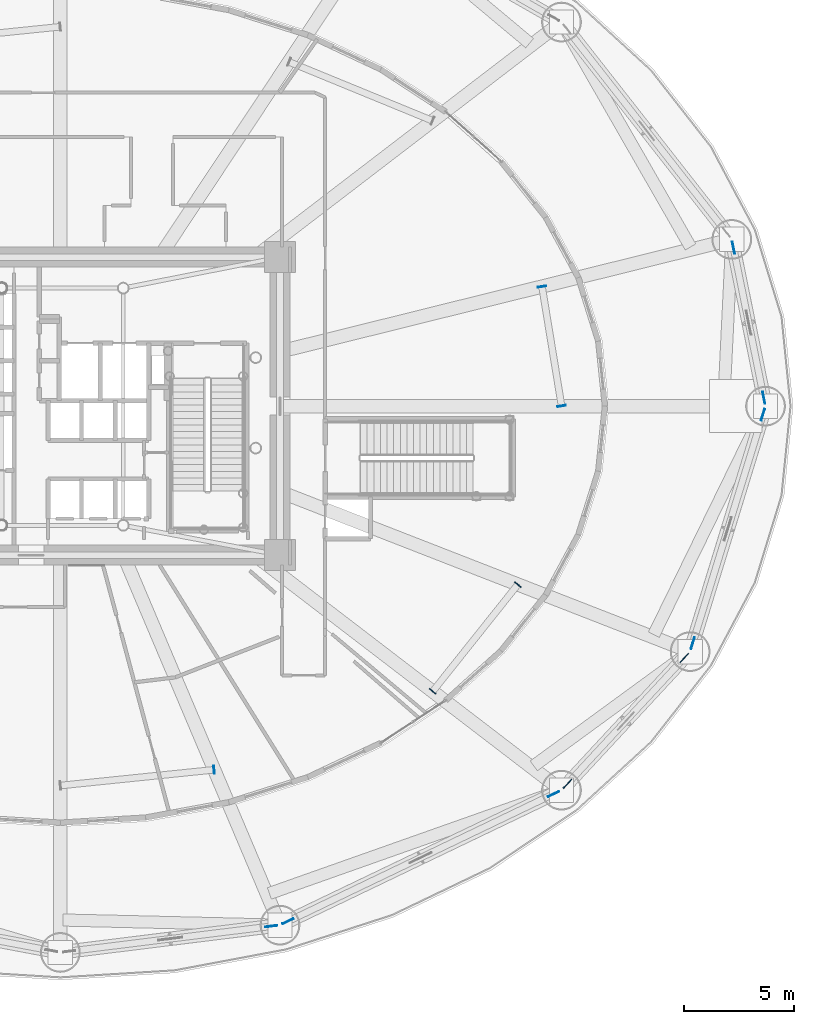
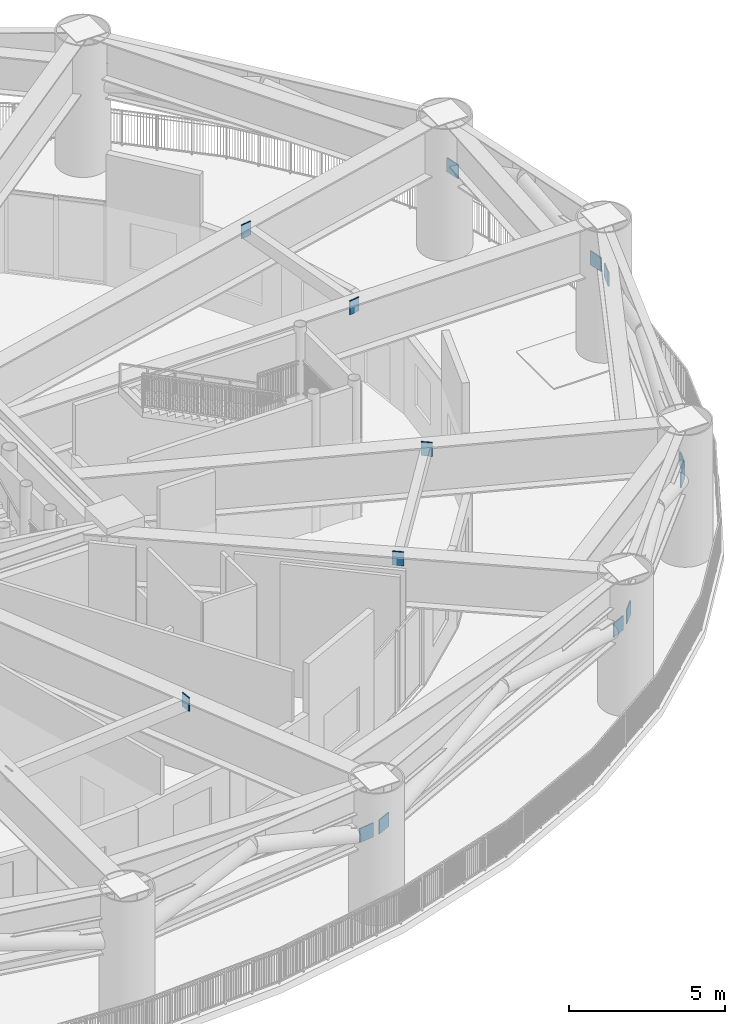
# One storey, part 19 of 39: 14 plates.
"""IFC4 building model written with IfcOpenShell, lengths in metres."""

from ifc_helpers import new_model, si_unit, direction, frame, origin, origin_2d, place, context, subcontext, project, spatial, rectangle, extrude, source, transform, mapped, material, layer, layer_set, type_object, element, save


model = new_model("IFC4")

# Units and contexts
model_context = context("Model", 3, precision=1e-05, world=origin(), true_north=direction((0.0, 1.0)))
body_context = subcontext(model_context, "Body", "Model", "MODEL_VIEW")
ifc_project = project(units=[si_unit("LENGTHUNIT", "METRE"), si_unit("AREAUNIT", "SQUARE_METRE"), si_unit("VOLUMEUNIT", "CUBIC_METRE"), si_unit("PLANEANGLEUNIT", "RADIAN"), si_unit("MASSUNIT", "GRAM", prefix="KILO")], contexts=[model_context])

# Site, building, storey
site_placement = place(None, origin())
site = spatial("IfcSite", under=ifc_project, at=site_placement, CompositionType="ELEMENT")
building_placement = place(site_placement, origin())
building = spatial("IfcBuilding", under=site, at=building_placement, Name="Linh Dai School and Residence Tower", CompositionType="ELEMENT")
storey_placement = place(building_placement, frame((0.0, 0.0, 27.0)))
storey = spatial("IfcBuildingStorey", under=building, at=storey_placement, Name="L06", CompositionType="ELEMENT", Elevation=27.0)

# Plates
ifc_material = material(Name="Structural Steel S355JR", Category="steel")
ifc_layer = layer(ifc_material, 0.0400390625)
ifc_layer_set = layer_set([ifc_layer], Name="Structural Steel S355JR")
plate_type = type_object("IfcPlateType", Name="PLT-GP1", PredefinedType="USERDEFINED", material=ifc_layer_set)
shared_shape_1 = source(origin(), body_context, "Body", "SweptSolid", [
    extrude(rectangle(XDim=0.0400390625, YDim=0.3798828125, at=origin_2d()), origin(), (0.0, 0.0, 1.0), 0.5400390625),
])
for number, where, z_axis, x_axis, name in (
    (1, (58.709228515625, 27.0048828125, 4.6298828125), (0.0, 0.0, 1.0), (-0.161521734074, 0.986869155168, 0.0), "L06 Secondary Beam End Plate 01A"),
    (2, (57.82373046875, 32.4150390625, 4.6298828125), (0.0, 0.0, 1.0), (-0.161521734074, 0.986869155168, 0.0), "L06 Secondary Beam End Plate 01B"),
    (3, (42.96630859375, 10.525146484375, 4.6298828125), (0.0, 0.0, 1.0), (0.994771705806, 0.102123715795, 0.0), "L06 Secondary Beam End Plate 07B"),
    (4, (52.871337890625, 14.076416015625, 4.6298828125), (0.0, 0.0, 1.0), (0.622932610294, 0.78227550328, 0.0), "L06 Secondary Beam End Plate 08A"),
    (5, (56.725341796875, 18.916259765625, 4.6298828125), (0.0, 0.0, 1.0), (0.622932610294, 0.78227550328, 0.0), "L06 Secondary Beam End Plate 08B"),
):
    element("IfcPlate", number, at=place(storey_placement, frame(where, z_axis=z_axis, x_axis=x_axis)), inside=storey, type_object=plate_type, Name=name, ObjectType="GUSSET PLATE", PredefinedType="USERDEFINED", context=body_context, shape_type="MappedRepresentation", body=[
        mapped(shared_shape_1, transform((0.0, 0.0, 0.0), x_axis=(1.0, 0.0, 0.0), y_axis=(0.0, 1.0, 0.0), z_axis=(0.0, 0.0, 1.0), scale=1.0)),
    ])
shared_shape_2 = source(origin(), body_context, "Body", "SweptSolid", [
    extrude(rectangle(XDim=0.550048828125, YDim=0.0400390625, at=origin_2d()), origin(), (0.0, 0.0, 1.0), 0.550048828125),
])
for number, where, z_axis, x_axis, name in (
    (6, (67.873046875, 27.380126953125, 2.93603515625), (0.0, 0.0, 1.0), (-0.198412111619, 0.980118683611, 0.0), "L06 Belt Truss BT1 Root End Gusset 01A"),
    (7, (66.49755859375, 34.17529296875, 2.93603515625), (0.0, 0.0, 1.0), (-0.198412111619, 0.980118683611, 0.0), "L06 Belt Truss BT1 Root End Gusset 01B"),
    (8, (45.553955078125, 3.4345703125, 2.90283203125), (0.0, 0.0, 1.0), (0.992399666572, 0.123056498355, 0.0), "L06 Belt Truss BT1 Root End Gusset 13B"),
    (9, (46.320556640625, 3.6611328125, 2.86767578125), (0.0, 0.0, 1.0), (0.901703676692, 0.43235457606, 0.0), "L06 Belt Truss BT1 Root End Gusset 14A"),
    (10, (58.3359375, 9.42236328125, 2.86767578125), (0.0, 0.0, 1.0), (0.901703676692, 0.43235457606, 0.0), "L06 Belt Truss BT1 Root End Gusset 14B"),
    (11, (58.972900390625, 9.8876953125, 2.921875), (0.0, 0.0, 1.0), (0.680344757042, 0.732892223704, 0.0), "L06 Belt Truss BT1 Root End Gusset 15A"),
    (12, (64.265869140625, 15.589599609375, 2.921875), (0.0, 0.0, 1.0), (0.680344757042, 0.732892223704, 0.0), "L06 Belt Truss BT1 Root End Gusset 15B"),
    (13, (64.652587890625, 16.26513671875, 2.88623046875), (0.0, 0.0, 1.0), (0.293627886797, 0.955919800033, 0.0), "L06 Belt Truss BT1 Root End Gusset 16A"),
    (14, (67.8310546875, 26.61279296875, 2.88623046875), (0.0, 0.0, 1.0), (0.293627886797, 0.955919800033, 0.0), "L06 Belt Truss BT1 Root End Gusset 16B"),
):
    element("IfcPlate", number, at=place(storey_placement, frame(where, z_axis=z_axis, x_axis=x_axis)), inside=storey, type_object=plate_type, Name=name, ObjectType="GUSSET PLATE", PredefinedType="USERDEFINED", context=body_context, shape_type="MappedRepresentation", body=[
        mapped(shared_shape_2, transform((0.0, 0.0, 0.0), x_axis=(1.0, 0.0, 0.0), y_axis=(0.0, 1.0, 0.0), z_axis=(0.0, 0.0, 1.0), scale=1.0)),
    ])

save(model, "model.ifc")
